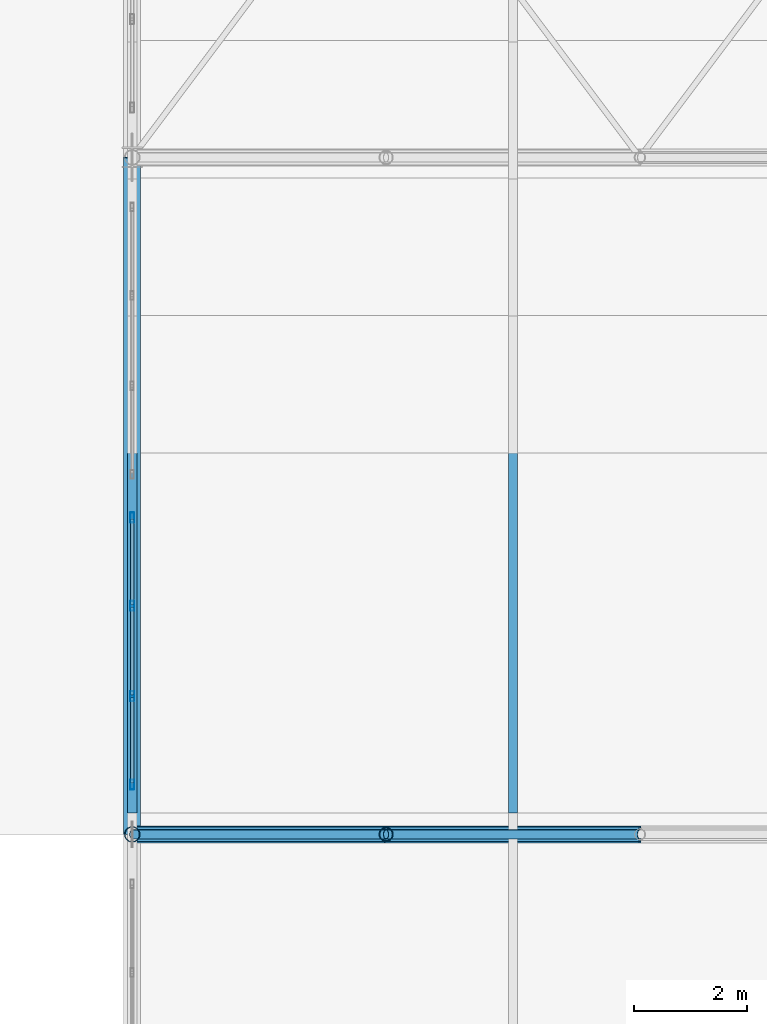
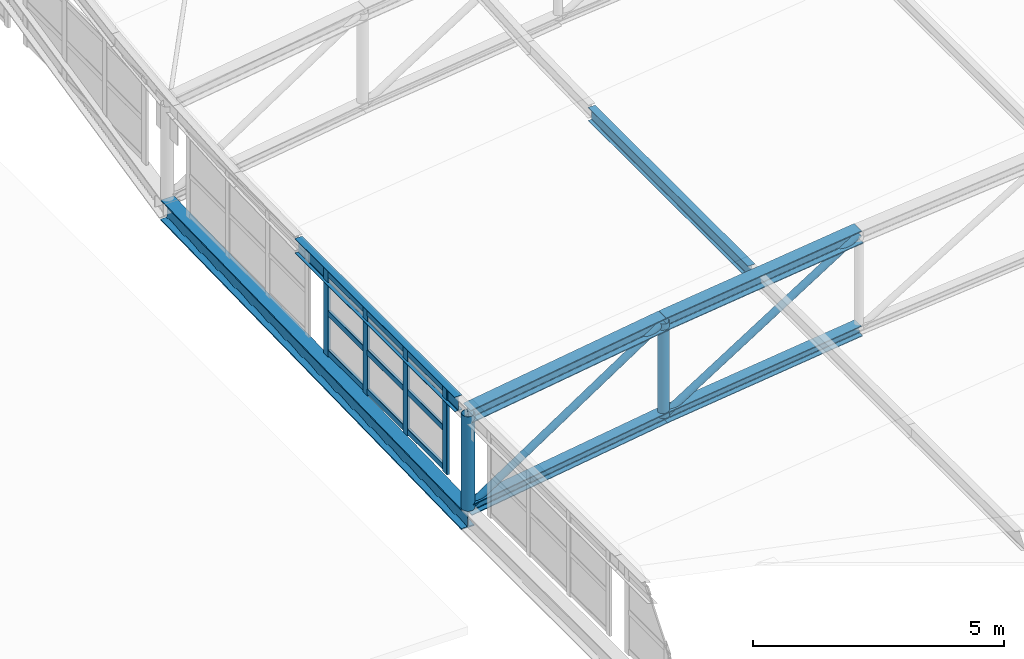
# One storey, part 105 of 262: 23 members, 1 beam, 1 element without a shape of its own.
"""IFC4 building model written with IfcOpenShell, lengths in metres."""

import ifcopenshell
import ifcopenshell.guid

model = None  # the IFC model being written
_history = None  # IfcOwnerHistory: only IFC2X3 demands one
_inside = {}  # id of a spatial element -> (the spatial element, [elements in it])
_under = {}  # id of a project, library or spatial element -> (it, [spatial elements below it])
_declared = {}  # id of a project -> (the project, [libraries it declares])
_typed = {}  # id of a type object -> (the type object, [elements of that type])
_made_of = {}  # id of a material, layer set ... -> (it, [elements and type objects made of it])


def new_model(schema):
    """Start an empty IFC model of exactly this schema.

    Asked for "IFC4X3", IfcOpenShell would pick the latest addendum, in which some entities
    have other attributes; the version numbers below select the first issue.
    IFC2X3 requires an IfcOwnerHistory on every rooted entity: one is made here for all.
    """
    global model, _history
    if schema == "IFC4X3":
        model = ifcopenshell.file(schema_version=(4, 3, 0, 0))
    else:
        model = ifcopenshell.file(schema=schema)
    _inside.clear()
    _under.clear()
    _declared.clear()
    _typed.clear()
    _made_of.clear()
    _history = None
    if model.schema == "IFC2X3":
        org = make("IfcOrganization", Name="unknown")
        user = make(
            "IfcPersonAndOrganization",
            ThePerson=make("IfcPerson", FamilyName="unknown"),
            TheOrganization=org,
        )
        app = make(
            "IfcApplication",
            ApplicationDeveloper=org,
            Version="unknown",
            ApplicationFullName="unknown",
            ApplicationIdentifier="unknown",
        )
        _history = make(
            "IfcOwnerHistory",
            OwningUser=user,
            OwningApplication=app,
            ChangeAction="ADDED",
            CreationDate=0,
        )
    return model


def make(cls, **values):
    """One entity of the class cls with the attributes given. An attribute that is None is left unset."""
    return model.create_entity(
        cls, **{name: value for name, value in values.items() if value is not None}
    )


def rooted(cls, **values):
    """An entity with a GlobalId (a new one), such as an element, a storey or a relation."""
    return make(cls, GlobalId=ifcopenshell.guid.new(), OwnerHistory=_history, **values)


def si_unit(unit_type, name, prefix=None):
    """IfcSIUnit, for example si_unit("LENGTHUNIT", "METRE", prefix="MILLI")."""
    return make("IfcSIUnit", UnitType=unit_type, Prefix=prefix, Name=name)


def derived_unit(unit_type, elements):
    """IfcDerivedUnit: a product of units, each with its exponent."""
    return make(
        "IfcDerivedUnit",
        Elements=[
            make("IfcDerivedUnitElement", Unit=unit, Exponent=power)
            for unit, power in elements
        ],
        UnitType=unit_type,
    )


def assignment(units):
    """IfcUnitAssignment: the units of a project."""
    return None if units is None else make("IfcUnitAssignment", Units=units)


def point(xyz):
    """IfcCartesianPoint."""
    return None if xyz is None else make("IfcCartesianPoint", Coordinates=xyz)


def direction(xyz):
    """IfcDirection."""
    return None if xyz is None else make("IfcDirection", DirectionRatios=xyz)


def frame(location, z_axis=None, x_axis=None):
    """IfcAxis2Placement3D, a coordinate frame: its origin and axes. An axis left out is left unset."""
    return make(
        "IfcAxis2Placement3D",
        Location=point(location),
        Axis=direction(z_axis),
        RefDirection=direction(x_axis),
    )


def frame_2d(location, x_axis=None):
    """IfcAxis2Placement2D, a coordinate frame in the plane: its origin and x axis."""
    return make(
        "IfcAxis2Placement2D", Location=point(location), RefDirection=direction(x_axis)
    )


def origin():
    """The frame at (0, 0, 0) with its axes left unset."""
    return frame((0.0, 0.0, 0.0))


def origin_2d():
    """The frame at (0, 0) in the plane with its x axis left unset."""
    return frame_2d((0.0, 0.0))


def place(relative_to, where):
    """IfcLocalPlacement: puts the frame where relative to a parent placement (None: the world)."""
    return make(
        "IfcLocalPlacement", PlacementRelTo=relative_to, RelativePlacement=where
    )


def context(
    kind, dimensions, precision=None, world=None, true_north=None, identifier=None
):
    """IfcGeometricRepresentationContext, for example the 3D "Model" context."""
    return make(
        "IfcGeometricRepresentationContext",
        ContextIdentifier=identifier,
        ContextType=kind,
        CoordinateSpaceDimension=dimensions,
        Precision=precision,
        WorldCoordinateSystem=world,
        TrueNorth=true_north,
    )


def subcontext(parent, identifier, kind, view, scale=None):
    """IfcGeometricRepresentationSubContext, for example "Body" below "Model"."""
    return make(
        "IfcGeometricRepresentationSubContext",
        ContextIdentifier=identifier,
        ContextType=kind,
        ParentContext=parent,
        TargetScale=scale,
        TargetView=view,
    )


def project(units=None, contexts=None):
    """IfcProject with its units and contexts."""
    return rooted(
        "IfcProject",
        Name="project",
        RepresentationContexts=contexts,
        UnitsInContext=assignment(units),
    )


def spatial(cls, under=None, at=None, **own):
    """A site, building, storey or space (cls), placed at a placement, below another one or the project."""
    s = rooted(cls, ObjectPlacement=at, **own)
    if under is not None:
        _under.setdefault(under.id(), (under, []))[1].append(s)
    return s


def profile(cls, at=None, kind="AREA", **sizes):
    """A parametric profile (cls). Its sizes go by their IFC names, for example OverallWidth=200.0."""
    return make(cls, ProfileType=kind, Position=at, **sizes)


def hollow_rectangle(**sizes):
    """IfcRectangleHollowProfileDef."""
    return profile("IfcRectangleHollowProfileDef", **sizes)


def hollow_circle(**sizes):
    """IfcCircleHollowProfileDef."""
    return profile("IfcCircleHollowProfileDef", **sizes)


def i_section(**sizes):
    """IfcIShapeProfileDef."""
    return profile("IfcIShapeProfileDef", **sizes)


def extrude(swept, where, along, depth):
    """IfcExtrudedAreaSolid: the profile swept, set in the frame where, extruded along a direction by depth."""
    return make(
        "IfcExtrudedAreaSolid",
        SweptArea=swept,
        Position=where,
        ExtrudedDirection=direction(along),
        Depth=depth,
    )


def shape(context_of_items, identifier, shape_type, items):
    """IfcShapeRepresentation: the items that make up one representation, for example the "Body"."""
    return make(
        "IfcShapeRepresentation",
        ContextOfItems=context_of_items,
        RepresentationIdentifier=identifier,
        RepresentationType=shape_type,
        Items=items,
    )


def material(Name=None, Category=None):
    """IfcMaterial."""
    return make("IfcMaterial", Name=Name, Category=Category)


def layer(
    of_material, thickness, ventilated=None, Name=None, Category=None, Priority=None
):
    """IfcMaterialLayer: one layer of a wall or slab, of a material (None: an air gap)."""
    return make(
        "IfcMaterialLayer",
        Material=of_material,
        LayerThickness=thickness,
        IsVentilated=ventilated,
        Name=Name,
        Category=Category,
        Priority=Priority,
    )


def layer_set(layers, Name=None):
    """IfcMaterialLayerSet."""
    return make("IfcMaterialLayerSet", MaterialLayers=layers, LayerSetName=Name)


def material_profile(
    of_material, cross_section, Name=None, Category=None, Priority=None
):
    """IfcMaterialProfile: a cross section and its material."""
    return make(
        "IfcMaterialProfile",
        Name=Name,
        Material=of_material,
        Profile=cross_section,
        Priority=Priority,
        Category=Category,
    )


def profile_set(profiles, Name=None, composite=None):
    """IfcMaterialProfileSet."""
    return make(
        "IfcMaterialProfileSet",
        Name=Name,
        MaterialProfiles=profiles,
        CompositeProfile=composite,
    )


def made_of(thing, what):
    """Note that an element or type object is made of a material, layer set ...; save() writes the relation."""
    if what is not None:
        _made_of.setdefault(what.id(), (what, []))[1].append(thing)
    return thing


def type_object(cls, material=None, **own):
    """A type object (cls), such as IfcWallType, which elements share."""
    return made_of(rooted(cls, **own), material)


def element(
    cls,
    number,
    at=None,
    inside=None,
    cuts=None,
    type_object=None,
    material=None,
    context=None,
    identifier="Body",
    shape_type=None,
    held_by="IfcProductDefinitionShape",
    body=None,
    shapes=None,
    **own,
):
    """One element of the class cls, such as IfcWall. Its Tag is "e" and its number.

    at: its placement. inside: the storey or other place that contains it. cuts: it is an
    opening in that element (IfcRelVoidsElement). A single representation is given by context,
    identifier, shape_type and body (its items); several are given by shapes. held_by: the class
    of the entity that holds the representations. save() writes the other relations.
    """
    e = rooted(cls, Tag="e%d" % number, ObjectPlacement=at, **own)
    if body is not None:
        shapes = [shape(context, identifier, shape_type, body)]
    if shapes is not None:
        e.Representation = make(held_by, Representations=shapes)
    if inside is not None:
        _inside.setdefault(inside.id(), (inside, []))[1].append(e)
    if cuts is not None:
        rooted(
            "IfcRelVoidsElement", RelatingBuildingElement=cuts, RelatedOpeningElement=e
        )
    if type_object is not None:
        _typed.setdefault(type_object.id(), (type_object, []))[1].append(e)
    return made_of(e, material)


def aggregate(whole, parts):
    """IfcRelAggregates: a whole, such as a stair, and the parts it consists of."""
    return rooted("IfcRelAggregates", RelatingObject=whole, RelatedObjects=parts)


def save(model, path):
    """Write the relations noted so far, then the file.

    IfcRelAggregates (storeys below a building ...), IfcRelContainedInSpatialStructure (elements
    in a storey), IfcRelDefinesByType, IfcRelAssociatesMaterial and IfcRelDeclares: one each for
    every whole, place, type object, material and project.
    """
    for whole, parts in _under.values():
        aggregate(whole, parts)
    for where, things in _inside.values():
        rooted(
            "IfcRelContainedInSpatialStructure",
            RelatedElements=things,
            RelatingStructure=where,
        )
    for kind, things in _typed.values():
        rooted("IfcRelDefinesByType", RelatedObjects=things, RelatingType=kind)
    for what, things in _made_of.values():
        rooted("IfcRelAssociatesMaterial", RelatedObjects=things, RelatingMaterial=what)
    for by, libraries in _declared.values():
        rooted("IfcRelDeclares", RelatingContext=by, RelatedDefinitions=libraries)
    model.write(path)


model = new_model("IFC4")

# Units and contexts
model_context = context("Model", 3, precision=1e-05, world=origin(), true_north=direction((0.0, 1.0)))
body_context = subcontext(model_context, "Body", "Model", "MODEL_VIEW")
ifc_project = project(units=[si_unit("LENGTHUNIT", "METRE"), si_unit("AREAUNIT", "SQUARE_METRE"), si_unit("VOLUMEUNIT", "CUBIC_METRE"), si_unit("PLANEANGLEUNIT", "RADIAN"), si_unit("MASSUNIT", "GRAM", prefix="KILO"), derived_unit("THERMALTRANSMITTANCEUNIT", [(si_unit("POWERUNIT", "WATT"), 1), (si_unit("LENGTHUNIT", "METRE"), -2), (si_unit("THERMODYNAMICTEMPERATUREUNIT", "KELVIN"), -1)])], contexts=[model_context])

# Site, building, storey
site_placement = place(None, origin())
site = spatial("IfcSite", under=ifc_project, at=site_placement, CompositionType="ELEMENT")
building_placement = place(site_placement, origin())
building = spatial("IfcBuilding", under=site, at=building_placement, Name="Almenara Railside Exhibition Hall", CompositionType="ELEMENT")
storey_placement = place(building_placement, frame((0.0, 0.0, 21.699951171875)))
storey = spatial("IfcBuildingStorey", under=building, at=storey_placement, Name="RF", CompositionType="ELEMENT", Elevation=21.699951171875)

# Members
ifc_material_1 = material(Name="Structural steel S355JR", Category="steel")
ifc_material_profile_1 = material_profile(ifc_material_1, i_section(OverallWidth=0.260009765625, OverallDepth=0.260009765625, WebThickness=0.010009765625, FlangeThickness=0.017578125, FilletRadius=0.02392578125, at=origin_2d()), Name="HEB 260")
ifc_profile_set_1 = profile_set([ifc_material_profile_1], Name="Structural steel S355JR")
member_type_1 = type_object("IfcMemberType", Name="Arched Truss Bottom Chord HEB 260 S355JR", PredefinedType="CHORD", material=ifc_profile_set_1)
member_1_placement = place(storey_placement, frame((12.0, 96.0, -2.39990234375), z_axis=(0.9890290442, 0.0, 0.147721189165), x_axis=(0.0, 1.0, 0.0)))
element("IfcMember", 1, at=member_1_placement, inside=storey, type_object=member_type_1, Name="MEM-BC-V1-04-00", PredefinedType="CHORD", context=body_context, shape_type="SweptSolid", body=[
    extrude(i_section(OverallWidth=0.260009765625, OverallDepth=0.260009765625, WebThickness=0.010009765625, FlangeThickness=0.017578125, FilletRadius=0.02392578125, at=origin_2d()), origin(), (0.0, 0.0, 1.0), 4.5498046875),
])
member_2_placement = place(storey_placement, frame((16.5, 96.0, -1.727783203125), z_axis=(0.992612220818, 0.0, 0.121330041965), x_axis=(0.0, 1.0, 0.0)))
element("IfcMember", 2, at=member_2_placement, inside=storey, type_object=member_type_1, Name="MEM-BC-V1-04-01", PredefinedType="CHORD", context=body_context, shape_type="SweptSolid", body=[
    extrude(i_section(OverallWidth=0.260009765625, OverallDepth=0.260009765625, WebThickness=0.010009765625, FlangeThickness=0.017578125, FilletRadius=0.02392578125, at=origin_2d()), origin(), (0.0, 0.0, 1.0), 4.533447265625),
])
ifc_material_profile_2 = material_profile(ifc_material_1, i_section(OverallWidth=0.300048828125, OverallDepth=0.320068359375, WebThickness=0.011474609375, FlangeThickness=0.0205078125, FilletRadius=0.027099609375, at=origin_2d()), Name="HEB 320")
ifc_profile_set_2 = profile_set([ifc_material_profile_2], Name="Structural steel S355JR")
member_type_2 = type_object("IfcMemberType", Name="Arched Truss Top Chord HEB 320 S355JR", PredefinedType="CHORD", material=ifc_profile_set_2)
member_3_placement = place(storey_placement, frame((12.0, 96.0, -0.099853515625), z_axis=(0.9890290442, 0.0, 0.147721189165), x_axis=(0.0, 1.0, 0.0)))
element("IfcMember", 3, at=member_3_placement, inside=storey, type_object=member_type_2, Name="MEM-TC-V1-04-00", PredefinedType="CHORD", context=body_context, shape_type="SweptSolid", body=[
    extrude(i_section(OverallWidth=0.300048828125, OverallDepth=0.320068359375, WebThickness=0.011474609375, FlangeThickness=0.0205078125, FilletRadius=0.027099609375, at=origin_2d()), origin(), (0.0, 0.0, 1.0), 4.5498046875),
])
member_4_placement = place(storey_placement, frame((16.5, 96.0, 0.572265625), z_axis=(0.992612220818, 0.0, 0.121330041965), x_axis=(0.0, 1.0, 0.0)))
element("IfcMember", 4, at=member_4_placement, inside=storey, type_object=member_type_2, Name="MEM-TC-V1-04-01", PredefinedType="CHORD", context=body_context, shape_type="SweptSolid", body=[
    extrude(i_section(OverallWidth=0.300048828125, OverallDepth=0.320068359375, WebThickness=0.011474609375, FlangeThickness=0.0205078125, FilletRadius=0.027099609375, at=origin_2d()), origin(), (0.0, 0.0, 1.0), 4.533447265625),
])

# Curtain wall, members
ifc_material_2 = material(Name="Bronze-anodised aluminium and low-E double glazing", Category="aluminium")
ifc_layer = layer(ifc_material_2, 0.179931640625, Name="Bronze-anodised aluminium and low-E double glazing")
ifc_layer_set = layer_set([ifc_layer], Name="Bronze-anodised aluminium and low-E double glazing")
curtain_wall_type = type_object("IfcCurtainWallType", Name="West Hall Clerestory Curtain Wall 4200x2400", PredefinedType="NOTDEFINED", material=ifc_layer_set)
curtain_wall_placement = place(storey_placement, origin())
curtain_wall = element("IfcCurtainWall", 5, at=curtain_wall_placement, inside=storey, type_object=curtain_wall_type, Name="Curtain wall CW-CL1-184", PredefinedType="NOTDEFINED")
ifc_material_3 = material(Name="Bronze-anodised aluminium", Category="aluminium")
ifc_material_profile_3 = material_profile(ifc_material_3, hollow_rectangle(XDim=0.06494140625, YDim=0.179931640625, WallThickness=0.00390625, InnerFilletRadius=0.00390625, OuterFilletRadius=0.008056640625, at=origin_2d()), Name="ALU-MUL 65x180x4")
ifc_profile_set_3 = profile_set([ifc_material_profile_3], Name="Bronze-anodised aluminium")
member_type_3 = type_object("IfcMemberType", Name="Curtain Wall Mullion 65x180x4", PredefinedType="MULLION", material=ifc_profile_set_3)
member_5_placement = place(storey_placement, frame((12.0, 96.882568359375, -2.0849609375), z_axis=(0.0, 0.0, 1.0), x_axis=(-1.0, 0.0, 0.0)))
member_5 = element("IfcMember", 6, at=member_5_placement, type_object=member_type_3, Name="CW-CL1-184 mullion 1", PredefinedType="MULLION", context=body_context, shape_type="SweptSolid", body=[
    extrude(hollow_rectangle(XDim=0.06494140625, YDim=0.179931640625, WallThickness=0.00390625, InnerFilletRadius=0.00390625, OuterFilletRadius=0.008056640625, at=origin_2d()), origin(), (0.0, 0.0, 1.0), 2.0849609375),
])
member_6_placement = place(storey_placement, frame((12.0, 98.449951171875, -2.0849609375), z_axis=(0.0, 0.0, 1.0), x_axis=(-1.0, 0.0, 0.0)))
member_6 = element("IfcMember", 7, at=member_6_placement, type_object=member_type_3, Name="CW-CL1-184 mullion 2", PredefinedType="MULLION", context=body_context, shape_type="SweptSolid", body=[
    extrude(hollow_rectangle(XDim=0.06494140625, YDim=0.179931640625, WallThickness=0.00390625, InnerFilletRadius=0.00390625, OuterFilletRadius=0.008056640625, at=origin_2d()), origin(), (0.0, 0.0, 1.0), 2.0849609375),
])
member_7_placement = place(storey_placement, frame((12.0, 100.050048828125, -2.0849609375), z_axis=(0.0, 0.0, 1.0), x_axis=(-1.0, 0.0, 0.0)))
member_7 = element("IfcMember", 8, at=member_7_placement, type_object=member_type_3, Name="CW-CL1-184 mullion 3", PredefinedType="MULLION", context=body_context, shape_type="SweptSolid", body=[
    extrude(hollow_rectangle(XDim=0.06494140625, YDim=0.179931640625, WallThickness=0.00390625, InnerFilletRadius=0.00390625, OuterFilletRadius=0.008056640625, at=origin_2d()), origin(), (0.0, 0.0, 1.0), 2.0849609375),
])
member_8_placement = place(storey_placement, frame((12.0, 101.617431640625, -2.0849609375), z_axis=(0.0, 0.0, 1.0), x_axis=(-1.0, 0.0, 0.0)))
member_8 = element("IfcMember", 9, at=member_8_placement, type_object=member_type_3, Name="CW-CL1-184 mullion 4", PredefinedType="MULLION", context=body_context, shape_type="SweptSolid", body=[
    extrude(hollow_rectangle(XDim=0.06494140625, YDim=0.179931640625, WallThickness=0.00390625, InnerFilletRadius=0.00390625, OuterFilletRadius=0.008056640625, at=origin_2d()), origin(), (0.0, 0.0, 1.0), 2.0849609375),
])
ifc_material_profile_4 = material_profile(ifc_material_3, hollow_rectangle(XDim=0.06494140625, YDim=0.139892578125, WallThickness=0.00341796875, InnerFilletRadius=0.00341796875, OuterFilletRadius=0.007080078125, at=origin_2d()), Name="ALU-TRN 65x140x3.5")
ifc_profile_set_4 = profile_set([ifc_material_profile_4], Name="Bronze-anodised aluminium")
member_type_4 = type_object("IfcMemberType", Name="Curtain Wall Transom 65x140x3.5", PredefinedType="USERDEFINED", material=ifc_profile_set_4)
member_9_placement = place(storey_placement, frame((12.0, 96.906982421875, -1.97998046875), z_axis=(0.0, 1.0, 0.0), x_axis=(-1.0, 0.0, 0.0)))
member_9 = element("IfcMember", 10, at=member_9_placement, type_object=member_type_4, Name="CW-CL1-184 transom 1.1", ObjectType="TRANSOM", PredefinedType="USERDEFINED", context=body_context, shape_type="SweptSolid", body=[
    extrude(hollow_rectangle(XDim=0.06494140625, YDim=0.139892578125, WallThickness=0.00341796875, InnerFilletRadius=0.00341796875, OuterFilletRadius=0.007080078125, at=origin_2d()), origin(), (0.0, 0.0, 1.0), 1.5185546875),
])
member_10_placement = place(storey_placement, frame((12.0, 96.906982421875, -1.02490234375), z_axis=(0.0, 1.0, 0.0), x_axis=(-1.0, 0.0, 0.0)))
member_10 = element("IfcMember", 11, at=member_10_placement, type_object=member_type_4, Name="CW-CL1-184 transom 1.2", ObjectType="TRANSOM", PredefinedType="USERDEFINED", context=body_context, shape_type="SweptSolid", body=[
    extrude(hollow_rectangle(XDim=0.06494140625, YDim=0.139892578125, WallThickness=0.00341796875, InnerFilletRadius=0.00341796875, OuterFilletRadius=0.007080078125, at=origin_2d()), origin(), (0.0, 0.0, 1.0), 1.5185546875),
])
member_11_placement = place(storey_placement, frame((12.0, 96.906982421875, -0.070068359375), z_axis=(0.0, 1.0, 0.0), x_axis=(-1.0, 0.0, 0.0)))
member_11 = element("IfcMember", 12, at=member_11_placement, type_object=member_type_4, Name="CW-CL1-184 transom 1.3", ObjectType="TRANSOM", PredefinedType="USERDEFINED", context=body_context, shape_type="SweptSolid", body=[
    extrude(hollow_rectangle(XDim=0.06494140625, YDim=0.139892578125, WallThickness=0.00341796875, InnerFilletRadius=0.00341796875, OuterFilletRadius=0.007080078125, at=origin_2d()), origin(), (0.0, 0.0, 1.0), 1.5185546875),
])
member_12_placement = place(storey_placement, frame((12.0, 98.474609375, -1.97998046875), z_axis=(0.0, 1.0, 0.0), x_axis=(-1.0, 0.0, 0.0)))
member_12 = element("IfcMember", 13, at=member_12_placement, type_object=member_type_4, Name="CW-CL1-184 transom 2.1", ObjectType="TRANSOM", PredefinedType="USERDEFINED", context=body_context, shape_type="SweptSolid", body=[
    extrude(hollow_rectangle(XDim=0.06494140625, YDim=0.139892578125, WallThickness=0.00341796875, InnerFilletRadius=0.00341796875, OuterFilletRadius=0.007080078125, at=origin_2d()), origin(), (0.0, 0.0, 1.0), 1.55078125),
])
member_13_placement = place(storey_placement, frame((12.0, 98.474609375, -1.02490234375), z_axis=(0.0, 1.0, 0.0), x_axis=(-1.0, 0.0, 0.0)))
member_13 = element("IfcMember", 14, at=member_13_placement, type_object=member_type_4, Name="CW-CL1-184 transom 2.2", ObjectType="TRANSOM", PredefinedType="USERDEFINED", context=body_context, shape_type="SweptSolid", body=[
    extrude(hollow_rectangle(XDim=0.06494140625, YDim=0.139892578125, WallThickness=0.00341796875, InnerFilletRadius=0.00341796875, OuterFilletRadius=0.007080078125, at=origin_2d()), origin(), (0.0, 0.0, 1.0), 1.55078125),
])
member_14_placement = place(storey_placement, frame((12.0, 98.474609375, -0.070068359375), z_axis=(0.0, 1.0, 0.0), x_axis=(-1.0, 0.0, 0.0)))
member_14 = element("IfcMember", 15, at=member_14_placement, type_object=member_type_4, Name="CW-CL1-184 transom 2.3", ObjectType="TRANSOM", PredefinedType="USERDEFINED", context=body_context, shape_type="SweptSolid", body=[
    extrude(hollow_rectangle(XDim=0.06494140625, YDim=0.139892578125, WallThickness=0.00341796875, InnerFilletRadius=0.00341796875, OuterFilletRadius=0.007080078125, at=origin_2d()), origin(), (0.0, 0.0, 1.0), 1.55078125),
])
member_15_placement = place(storey_placement, frame((12.0, 100.074462890625, -1.97998046875), z_axis=(0.0, 1.0, 0.0), x_axis=(-1.0, 0.0, 0.0)))
member_15 = element("IfcMember", 16, at=member_15_placement, type_object=member_type_4, Name="CW-CL1-184 transom 3.1", ObjectType="TRANSOM", PredefinedType="USERDEFINED", context=body_context, shape_type="SweptSolid", body=[
    extrude(hollow_rectangle(XDim=0.06494140625, YDim=0.139892578125, WallThickness=0.00341796875, InnerFilletRadius=0.00341796875, OuterFilletRadius=0.007080078125, at=origin_2d()), origin(), (0.0, 0.0, 1.0), 1.5185546875),
])
member_16_placement = place(storey_placement, frame((12.0, 100.074462890625, -1.02490234375), z_axis=(0.0, 1.0, 0.0), x_axis=(-1.0, 0.0, 0.0)))
member_16 = element("IfcMember", 17, at=member_16_placement, type_object=member_type_4, Name="CW-CL1-184 transom 3.2", ObjectType="TRANSOM", PredefinedType="USERDEFINED", context=body_context, shape_type="SweptSolid", body=[
    extrude(hollow_rectangle(XDim=0.06494140625, YDim=0.139892578125, WallThickness=0.00341796875, InnerFilletRadius=0.00341796875, OuterFilletRadius=0.007080078125, at=origin_2d()), origin(), (0.0, 0.0, 1.0), 1.5185546875),
])
member_17_placement = place(storey_placement, frame((12.0, 100.074462890625, -0.070068359375), z_axis=(0.0, 1.0, 0.0), x_axis=(-1.0, 0.0, 0.0)))
member_17 = element("IfcMember", 18, at=member_17_placement, type_object=member_type_4, Name="CW-CL1-184 transom 3.3", ObjectType="TRANSOM", PredefinedType="USERDEFINED", context=body_context, shape_type="SweptSolid", body=[
    extrude(hollow_rectangle(XDim=0.06494140625, YDim=0.139892578125, WallThickness=0.00341796875, InnerFilletRadius=0.00341796875, OuterFilletRadius=0.007080078125, at=origin_2d()), origin(), (0.0, 0.0, 1.0), 1.5185546875),
])
aggregate(curtain_wall, [member_5, member_6, member_7, member_8, member_9, member_10, member_11, member_12, member_13, member_14, member_15, member_16, member_17])

# Members
ifc_material_profile_5 = material_profile(ifc_material_1, i_section(OverallWidth=0.159912109375, OverallDepth=0.330078125, WebThickness=0.007568359375, FlangeThickness=0.011474609375, FilletRadius=0.01806640625, at=origin_2d()), Name="IPE 330")
ifc_profile_set_5 = profile_set([ifc_material_profile_5], Name="Structural steel S355JR")
member_type_5 = type_object("IfcMemberType", Name="Gable Bay Purlin IPE 330 S355JR", PredefinedType="PURLIN", material=ifc_profile_set_5)
member_18_placement = place(storey_placement, frame((18.75, 96.3798828125, 0.743408203125), z_axis=(0.0, 1.0, 0.0), x_axis=(-1.0, 0.0, 0.0)))
element("IfcMember", 19, at=member_18_placement, inside=storey, type_object=member_type_5, Name="MEM-PR-V1-PR-IPE330-01-15", PredefinedType="PURLIN", context=body_context, shape_type="SweptSolid", body=[
    extrude(i_section(OverallWidth=0.159912109375, OverallDepth=0.330078125, WebThickness=0.007568359375, FlangeThickness=0.011474609375, FilletRadius=0.01806640625, at=origin_2d()), origin(), (0.0, 0.0, 1.0), 6.379638671875),
])
ifc_material_profile_6 = material_profile(ifc_material_1, i_section(OverallWidth=0.169921875, OverallDepth=0.360107421875, WebThickness=0.008056640625, FlangeThickness=0.0126953125, FilletRadius=0.01806640625, at=origin_2d()), Name="IPE 360")
ifc_profile_set_6 = profile_set([ifc_material_profile_6], Name="Structural steel S355JR")
member_type_6 = type_object("IfcMemberType", Name="Long-Span Scroll Purlin IPE 360 S355JR", PredefinedType="PURLIN", material=ifc_profile_set_6)
member_19_placement = place(storey_placement, frame((12.0, 96.3798828125, -0.100830078125), z_axis=(0.0, 1.0, 0.0), x_axis=(-1.0, 0.0, 0.0)))
element("IfcMember", 20, at=member_19_placement, inside=storey, type_object=member_type_6, Name="MEM-PR-V1-PR-IPE360-00-15", PredefinedType="PURLIN", context=body_context, shape_type="SweptSolid", body=[
    extrude(i_section(OverallWidth=0.169921875, OverallDepth=0.360107421875, WebThickness=0.008056640625, FlangeThickness=0.0126953125, FilletRadius=0.01806640625, at=origin_2d()), origin(), (0.0, 0.0, 1.0), 6.379638671875),
])

# Beam
ifc_material_profile_7 = material_profile(ifc_material_1, i_section(OverallWidth=0.300048828125, OverallDepth=0.5, WebThickness=0.014404296875, FlangeThickness=0.028076171875, FilletRadius=0.027099609375, at=origin_2d()), Name="HEB 500")
ifc_profile_set_7 = profile_set([ifc_material_profile_7], Name="Structural steel S355JR")
beam_type = type_object("IfcBeamType", Name="Steel Heavy Eaves Girder HEB 500 S355JR", PredefinedType="USERDEFINED", material=ifc_profile_set_7)
beam_placement = place(storey_placement, frame((12.0, 96.0, -2.64990234375), z_axis=(0.0, 0.999756898414, 0.022048675087), x_axis=(-1.0, 0.0, 0.0)))
element("IfcBeam", 21, at=beam_placement, inside=storey, type_object=beam_type, Name="Beam 0969", ObjectType="GIRDER", PredefinedType="USERDEFINED", context=body_context, shape_type="SweptSolid", body=[
    extrude(i_section(OverallWidth=0.300048828125, OverallDepth=0.5, WebThickness=0.014404296875, FlangeThickness=0.028076171875, FilletRadius=0.027099609375, at=origin_2d()), origin(), (0.0, 0.0, 1.0), 12.0029296875),
])

# Members
ifc_material_profile_8 = material_profile(ifc_material_1, hollow_circle(Radius=0.084228515625, WallThickness=0.006103515625, at=origin_2d()), Name="CHS 168.3x6")
ifc_profile_set_8 = profile_set([ifc_material_profile_8], Name="Structural steel S355JR")
member_type_7 = type_object("IfcMemberType", Name="Truss End Diagonal CHS 168.3x6 S355JR", PredefinedType="BRACE", material=ifc_profile_set_8)
member_20_placement = place(storey_placement, frame((12.0, 96.0, -2.39990234375), z_axis=(0.834424544227, 0.0, 0.551122200598), x_axis=(0.0, 1.0, 0.0)))
element("IfcMember", 22, at=member_20_placement, inside=storey, type_object=member_type_7, Name="MEM-TD-V1-04-00", PredefinedType="BRACE", context=body_context, shape_type="SweptSolid", body=[
    extrude(hollow_circle(Radius=0.084228515625, WallThickness=0.006103515625, at=origin_2d()), origin(), (0.0, 0.0, 1.0), 5.392822265625),
])
member_21_placement = place(storey_placement, frame((16.5, 96.0, -1.727783203125), z_axis=(0.844810788273, 0.0, 0.535065166141), x_axis=(0.0, 1.0, 0.0)))
element("IfcMember", 23, at=member_21_placement, inside=storey, type_object=member_type_7, Name="MEM-TD-V1-04-01", PredefinedType="BRACE", context=body_context, shape_type="SweptSolid", body=[
    extrude(hollow_circle(Radius=0.084228515625, WallThickness=0.006103515625, at=origin_2d()), origin(), (0.0, 0.0, 1.0), 5.32666015625),
])
ifc_material_profile_9 = material_profile(ifc_material_1, hollow_circle(Radius=0.122314453125, WallThickness=0.008056640625, at=origin_2d()), Name="CHS 244.5x8")
ifc_profile_set_9 = profile_set([ifc_material_profile_9], Name="Structural steel S355JR")
member_type_8 = type_object("IfcMemberType", Name="Truss Haunch Vertical Strut CHS 244.5x8 S355JR", PredefinedType="BRACE", material=ifc_profile_set_9)
member_22_placement = place(storey_placement, frame((16.5, 96.0, -1.727783203125), z_axis=(0.0, 0.0, 1.0), x_axis=(1.0, 0.0, 0.0)))
element("IfcMember", 24, at=member_22_placement, inside=storey, type_object=member_type_8, Name="MEM-TV-V1-04-01", PredefinedType="BRACE", context=body_context, shape_type="SweptSolid", body=[
    extrude(hollow_circle(Radius=0.122314453125, WallThickness=0.008056640625, at=origin_2d()), origin(), (0.0, 0.0, 1.0), 2.300048828125),
])
ifc_material_profile_10 = material_profile(ifc_material_1, hollow_circle(Radius=0.136474609375, WallThickness=0.008056640625, at=origin_2d()), Name="CHS 273x8")
ifc_profile_set_10 = profile_set([ifc_material_profile_10], Name="Structural steel S355JR")
member_type_9 = type_object("IfcMemberType", Name="Truss Support Vertical Strut CHS 273x8 S355JR", PredefinedType="BRACE", material=ifc_profile_set_10)
member_23_placement = place(storey_placement, frame((12.0, 96.0, -2.39990234375), z_axis=(0.0, 0.0, 1.0), x_axis=(1.0, 0.0, 0.0)))
element("IfcMember", 25, at=member_23_placement, inside=storey, type_object=member_type_9, Name="MEM-TV-V1-04-00", PredefinedType="BRACE", context=body_context, shape_type="SweptSolid", body=[
    extrude(hollow_circle(Radius=0.136474609375, WallThickness=0.008056640625, at=origin_2d()), origin(), (0.0, 0.0, 1.0), 2.300048828125),
])

save(model, "model.ifc")
